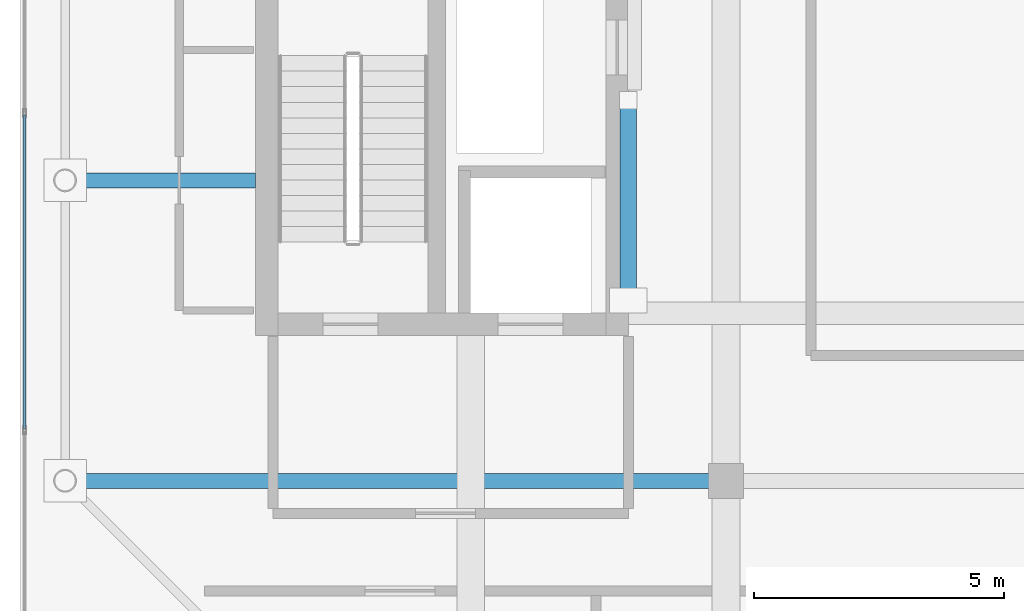
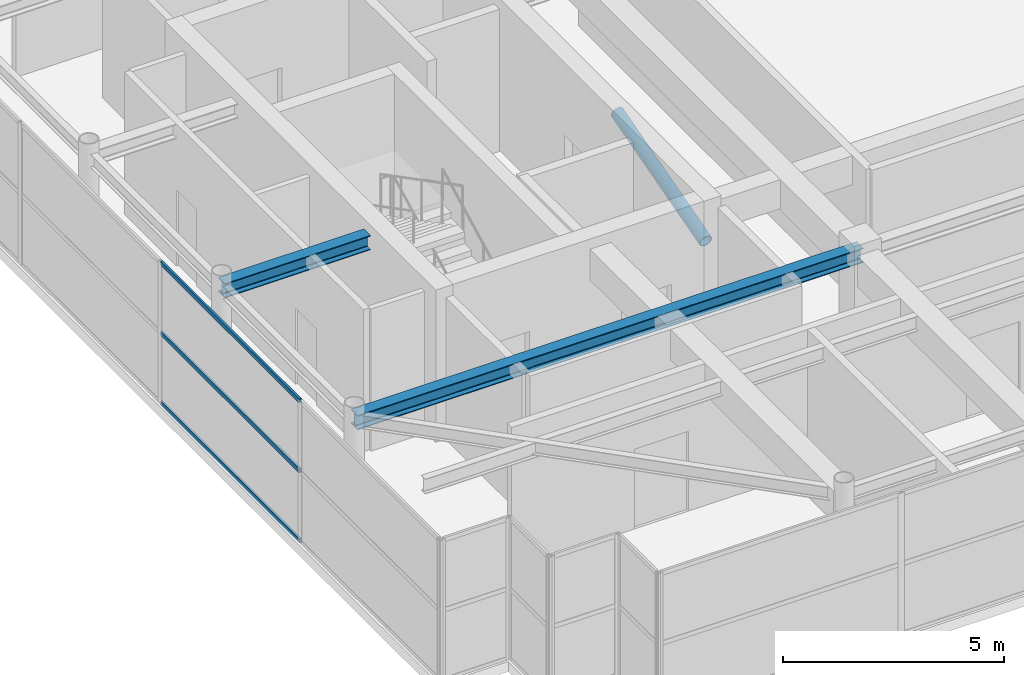
# One storey, part 6 of 32: 4 members, 2 beams, 1 element without a shape of its own.
"""IFC4 building model written with IfcOpenShell, lengths in metres."""

from ifc_helpers import new_model, si_unit, direction, frame, origin, origin_2d, place, context, subcontext, project, spatial, hollow_rectangle, hollow_circle, i_section, extrude, source, transform, mapped, material, layer, layer_set, material_profile, profile_set, type_object, element, aggregate, save


model = new_model("IFC4")

# Units and contexts
model_context = context("Model", 3, precision=1e-05, world=origin(), true_north=direction((0.0, 1.0)))
body_context = subcontext(model_context, "Body", "Model", "MODEL_VIEW")
ifc_project = project(units=[si_unit("LENGTHUNIT", "METRE"), si_unit("AREAUNIT", "SQUARE_METRE"), si_unit("VOLUMEUNIT", "CUBIC_METRE"), si_unit("PLANEANGLEUNIT", "RADIAN"), si_unit("MASSUNIT", "GRAM", prefix="KILO")], contexts=[model_context])

# Site, building, storey
site_placement = place(None, origin())
site = spatial("IfcSite", under=ifc_project, at=site_placement, CompositionType="ELEMENT")
building_placement = place(site_placement, origin())
building = spatial("IfcBuilding", under=site, at=building_placement, Name="Khoralis Quay Care Tower", CompositionType="ELEMENT")
storey_placement = place(building_placement, frame((0.0, 0.0, 293.699951171875)))
storey = spatial("IfcBuildingStorey", under=building, at=storey_placement, Name="L77", CompositionType="ELEMENT", Elevation=293.699951171875)

# Beams
ifc_material_1 = material(Name="Steel S355", Category="steel")
ifc_material_profile_1 = material_profile(ifc_material_1, i_section(OverallWidth=0.300048828125, OverallDepth=0.39990234375, WebThickness=0.013427734375, FlangeThickness=0.02392578125, FilletRadius=0.027099609375, at=origin_2d()), Name="Steel S355")
ifc_profile_set_1 = profile_set([ifc_material_profile_1], Name="Steel S355")
beam_type = type_object("IfcBeamType", Name="BM-HEB400", PredefinedType="BEAM", material=ifc_profile_set_1)
shared_shape_1 = source(origin(), body_context, "Body", "SweptSolid", [
    extrude(i_section(OverallWidth=0.300048828125, OverallDepth=0.39990234375, WebThickness=0.013427734375, FlangeThickness=0.02392578125, FilletRadius=0.027099609375, at=origin_2d()), origin(), (0.0, 0.0, 1.0), 13.2001953125),
])
beam_1_placement = place(storey_placement, frame((3.89990234375, 12.0, 3.719970703125), z_axis=(1.0, 0.0, 0.0), x_axis=(0.0, 1.0, 0.0)))
element("IfcBeam", 1, at=beam_1_placement, inside=storey, type_object=beam_type, Name="BM-TGXW-L77-120", PredefinedType="BEAM", context=body_context, shape_type="MappedRepresentation", body=[
    mapped(shared_shape_1, transform((0.0, 0.0, 0.0), scale=1.0)),
])
shared_shape_2 = source(origin(), body_context, "Body", "SweptSolid", [
    extrude(i_section(OverallWidth=0.300048828125, OverallDepth=0.39990234375, WebThickness=0.013427734375, FlangeThickness=0.02392578125, FilletRadius=0.027099609375, at=origin_2d()), origin(), (0.0, 0.0, 1.0), 3.802001953125),
])
beam_2_placement = place(storey_placement, frame((3.89990234375, 18.0, 3.719970703125), z_axis=(1.0, 0.0, 0.0), x_axis=(0.0, 1.0, 0.0)))
element("IfcBeam", 2, at=beam_2_placement, inside=storey, type_object=beam_type, Name="BM-TGXW-L77-180", PredefinedType="BEAM", context=body_context, shape_type="MappedRepresentation", body=[
    mapped(shared_shape_2, transform((0.0, 0.0, 0.0), scale=1.0)),
])

# Member
ifc_material_profile_2 = material_profile(ifc_material_1, hollow_circle(Radius=0.161865234375, WallThickness=0.01611328125, at=origin_2d()), Name="Steel S355")
ifc_profile_set_2 = profile_set([ifc_material_profile_2], Name="Steel S355")
member_type_1 = type_object("IfcMemberType", Name="ST-CHS323X16", PredefinedType="STRUT", material=ifc_profile_set_2)
shared_shape_3 = source(origin(), body_context, "Body", "SweptSolid", [
    extrude(hollow_circle(Radius=0.161865234375, WallThickness=0.01611328125, at=origin_2d()), origin(), (0.0, 0.0, 1.0), 4.156494140625),
])
member_1_placement = place(storey_placement, frame((15.14794921875, 15.60009765625, 2.52001953125), z_axis=(0.0, 0.962328782221, 0.271888423639), x_axis=(-1.0, 0.0, 0.0)))
element("IfcMember", 3, at=member_1_placement, inside=storey, type_object=member_type_1, Name="L77 Lantern Diagrid Strut 1", PredefinedType="STRUT", context=body_context, shape_type="MappedRepresentation", body=[
    mapped(shared_shape_3, transform((0.0, 0.0, 0.0), scale=1.0)),
])

# Curtain wall, members
ifc_material_2 = material(Name="Pale anodised aluminium", Category="aluminium")
ifc_layer = layer(ifc_material_2, 0.199951171875)
ifc_layer_set = layer_set([ifc_layer], Name="Pale anodised aluminium")
curtain_wall_type = type_object("IfcCurtainWallType", Name="CW-SYS-LANTERN", PredefinedType="NOTDEFINED", material=ifc_layer_set)
curtain_wall_placement = place(storey_placement, origin())
curtain_wall = element("IfcCurtainWall", 4, at=curtain_wall_placement, inside=storey, type_object=curtain_wall_type, Name="L77 Unitised Curtain Wall CW-LN-L77-16", PredefinedType="NOTDEFINED")
ifc_material_profile_3 = material_profile(ifc_material_2, hollow_rectangle(XDim=0.054931640625, YDim=0.1201171875, WallThickness=0.00390625, at=origin_2d()), Name="Pale anodised aluminium")
ifc_profile_set_3 = profile_set([ifc_material_profile_3], Name="Pale anodised aluminium")
member_type_2 = type_object("IfcMemberType", Name="CW-TRN-120", PredefinedType="USERDEFINED", material=ifc_profile_set_3)
shared_shape_4 = source(origin(), body_context, "Body", "SweptSolid", [
    extrude(hollow_rectangle(XDim=0.054931640625, YDim=0.1201171875, WallThickness=0.00390625, at=origin_2d()), origin(), (0.0, 0.0, 1.0), 6.26416015625),
])
member_2_placement = place(storey_placement, frame((3.090087890625, 19.30810546875, 0.030029296875), z_axis=(0.0, -1.0, 0.0), x_axis=(1.0, 0.0, 0.0)))
member_2 = element("IfcMember", 5, at=member_2_placement, type_object=member_type_2, Name="CW5 transom 4.1", ObjectType="TRANSOM", PredefinedType="USERDEFINED", context=body_context, shape_type="MappedRepresentation", body=[
    mapped(shared_shape_4, transform((0.0, 0.0, 0.0), scale=1.0)),
])
member_3_placement = place(storey_placement, frame((3.090087890625, 19.30810546875, 1.9599609375), z_axis=(0.0, -1.0, 0.0), x_axis=(1.0, 0.0, 0.0)))
member_3 = element("IfcMember", 6, at=member_3_placement, type_object=member_type_2, Name="CW5 transom 4.2", ObjectType="TRANSOM", PredefinedType="USERDEFINED", context=body_context, shape_type="MappedRepresentation", body=[
    mapped(shared_shape_4, transform((0.0, 0.0, 0.0), scale=1.0)),
])
member_4_placement = place(storey_placement, frame((3.090087890625, 19.30810546875, 3.89013671875), z_axis=(0.0, -1.0, 0.0), x_axis=(1.0, 0.0, 0.0)))
member_4 = element("IfcMember", 7, at=member_4_placement, type_object=member_type_2, Name="CW5 transom 4.3", ObjectType="TRANSOM", PredefinedType="USERDEFINED", context=body_context, shape_type="MappedRepresentation", body=[
    mapped(shared_shape_4, transform((0.0, 0.0, 0.0), scale=1.0)),
])
aggregate(curtain_wall, [member_2, member_3, member_4])

save(model, "model.ifc")
